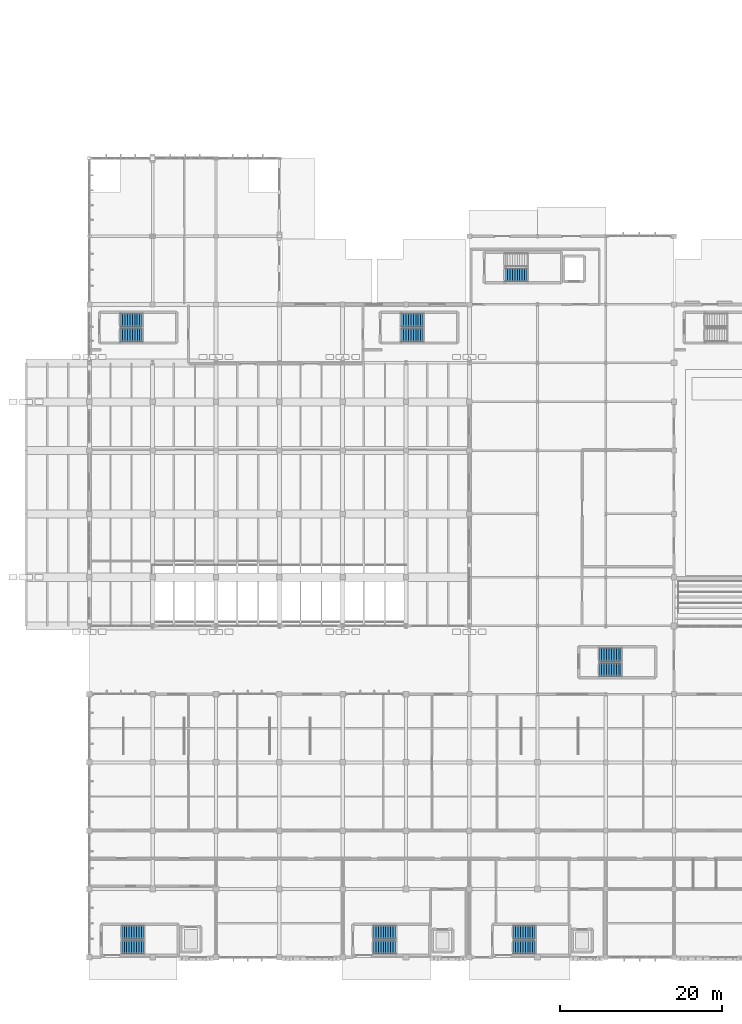
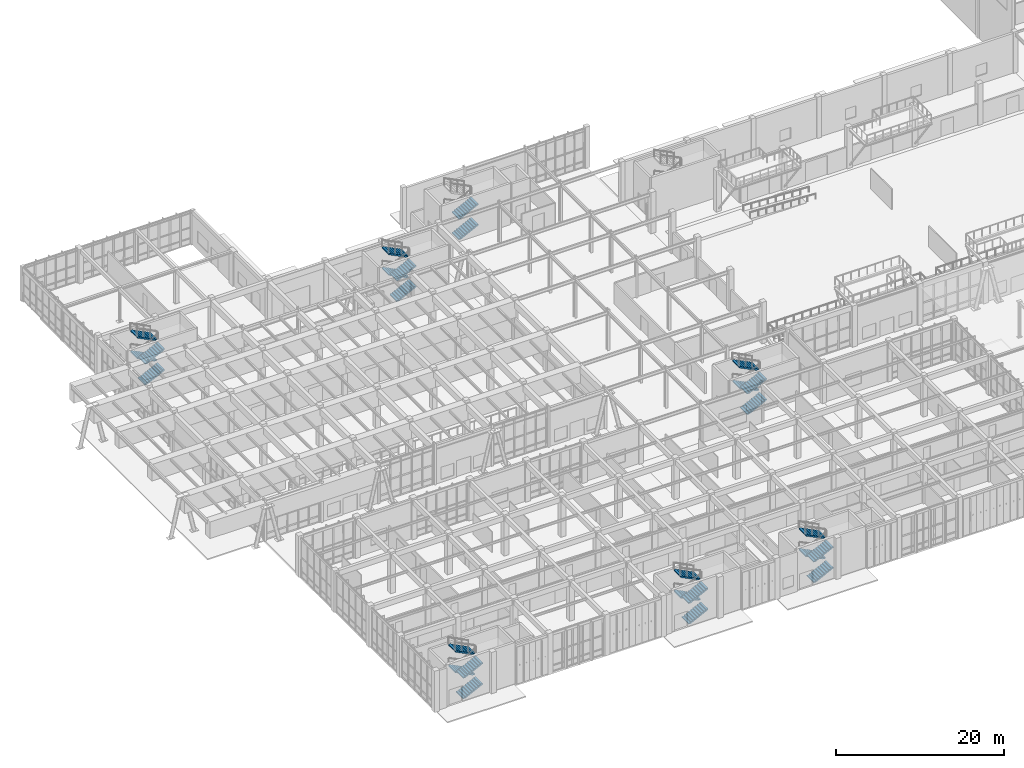
# One storey, part 84 of 110: 26 stair flights, 7 elements without a shape of their own.
"""IFC4 building model written with IfcOpenShell, lengths in metres."""

from ifc_helpers import new_model, si_unit, direction, frame, origin, place, context, subcontext, project, spatial, polyline, outline, extrude, material, type_object, element, aggregate, save


model = new_model("IFC4")

# Units and contexts
model_context = context("Model", 3, precision=1e-05, world=origin(), true_north=direction((0.0, 1.0)))
body_context = subcontext(model_context, "Body", "Model", "MODEL_VIEW")
ifc_project = project(units=[si_unit("LENGTHUNIT", "METRE"), si_unit("AREAUNIT", "SQUARE_METRE"), si_unit("VOLUMEUNIT", "CUBIC_METRE"), si_unit("PLANEANGLEUNIT", "RADIAN"), si_unit("MASSUNIT", "GRAM", prefix="KILO")], contexts=[model_context])

# Site, building, storey
site_placement = place(None, origin())
site = spatial("IfcSite", under=ifc_project, at=site_placement, CompositionType="ELEMENT")
building_placement = place(site_placement, origin())
building = spatial("IfcBuilding", under=site, at=building_placement, Name="Tizgana Railside Sports Hall", CompositionType="ELEMENT")
storey_placement = place(building_placement, origin())
storey = spatial("IfcBuildingStorey", under=building, at=storey_placement, Name="L00", CompositionType="ELEMENT", Elevation=0.0)

# Stair, stair flights
ifc_material = material(Name="Concrete C35/45", Category="concrete")
stair_type_1 = type_object("IfcStairType", Name="Core Protected Stair 1500", PredefinedType="HALF_TURN_STAIR", material=ifc_material)
stair_1_placement = place(storey_placement, origin())
stair_1 = element("IfcStair", 1, at=stair_1_placement, inside=storey, type_object=stair_type_1, Name="L00 Core Stair ST-01", PredefinedType="HALF_TURN_STAIR")
stair_flight_type_1 = type_object("IfcStairFlightType", Name="Core Stair Flight 1500", PredefinedType="STRAIGHT", material=ifc_material)
stair_flight_1_placement = place(storey_placement, frame((11.800048828125, 1.22509765625, 0.0), z_axis=(0.0, 0.0, 1.0), x_axis=(1.0, 0.0, 0.0)))
stair_flight_1 = element("IfcStairFlight", 2, at=stair_flight_1_placement, type_object=stair_flight_type_1, Name="ST-01 flight 1", NumberOfRisers=10, NumberOfTreads=9, PredefinedType="STRAIGHT", RiserHeight=0.15, TreadLength=0.3, context=body_context, shape_type="SweptSolid", body=[
    extrude(outline(polyline([(0.0, 0.0), (0.0, 0.14990234375), (0.300048828125, 0.14990234375), (0.300048828125, 0.300048828125), (0.60009765625, 0.300048828125), (0.60009765625, 0.449951171875), (0.89990234375, 0.449951171875), (0.89990234375, 0.60009765625), (1.199951171875, 0.60009765625), (1.199951171875, 0.75), (1.5, 0.75), (1.5, 0.89990234375), (1.800048828125, 0.89990234375), (1.800048828125, 1.050048828125), (2.10009765625, 1.050048828125), (2.10009765625, 1.199951171875), (2.39990234375, 1.199951171875), (2.39990234375, 1.35009765625), (2.699951171875, 1.35009765625), (2.699951171875, 1.5), (2.699951171875, 1.182373046875), (0.335205078125, 0.0), (0.0, 0.0)])), frame((0.0, 0.824951171875, 0.0), z_axis=(0.0, -1.0, 0.0), x_axis=(1.0, 0.0, 0.0)), (0.0, 0.0, 1.0), 1.64990234375),
])
stair_flight_2_placement = place(storey_placement, frame((14.5, 3.074951171875, 1.5), z_axis=(0.0, 0.0, 1.0), x_axis=(-1.0, 0.0, 0.0)))
stair_flight_2 = element("IfcStairFlight", 3, at=stair_flight_2_placement, type_object=stair_flight_type_1, Name="ST-01 flight 2", NumberOfRisers=10, NumberOfTreads=9, PredefinedType="STRAIGHT", RiserHeight=0.15, TreadLength=0.3, context=body_context, shape_type="SweptSolid", body=[
    extrude(outline(polyline([(0.0, 0.0), (0.0, 0.14990234375), (0.300048828125, 0.14990234375), (0.300048828125, 0.300048828125), (0.60009765625, 0.300048828125), (0.60009765625, 0.449951171875), (0.89990234375, 0.449951171875), (0.89990234375, 0.60009765625), (1.199951171875, 0.60009765625), (1.199951171875, 0.75), (1.5, 0.75), (1.5, 0.89990234375), (1.800048828125, 0.89990234375), (1.800048828125, 1.050048828125), (2.10009765625, 1.050048828125), (2.10009765625, 1.199951171875), (2.39990234375, 1.199951171875), (2.39990234375, 1.35009765625), (2.699951171875, 1.35009765625), (2.699951171875, 1.5), (2.699951171875, 1.182373046875), (0.335205078125, 0.0), (0.0, 0.0)])), frame((0.0, 0.824951171875, 0.0), z_axis=(0.0, -1.0, 0.0), x_axis=(1.0, 0.0, 0.0)), (0.0, 0.0, 1.0), 1.64990234375),
])
stair_flight_3_placement = place(storey_placement, frame((11.800048828125, 1.22509765625, 3.0), z_axis=(0.0, 0.0, 1.0), x_axis=(1.0, 0.0, 0.0)))
stair_flight_3 = element("IfcStairFlight", 4, at=stair_flight_3_placement, type_object=stair_flight_type_1, Name="ST-01 flight 3", NumberOfRisers=10, NumberOfTreads=9, PredefinedType="STRAIGHT", RiserHeight=0.15, TreadLength=0.3, context=body_context, shape_type="SweptSolid", body=[
    extrude(outline(polyline([(0.0, 0.0), (0.0, 0.14990234375), (0.300048828125, 0.14990234375), (0.300048828125, 0.300048828125), (0.60009765625, 0.300048828125), (0.60009765625, 0.449951171875), (0.89990234375, 0.449951171875), (0.89990234375, 0.60009765625), (1.199951171875, 0.60009765625), (1.199951171875, 0.75), (1.5, 0.75), (1.5, 0.89990234375), (1.800048828125, 0.89990234375), (1.800048828125, 1.050048828125), (2.10009765625, 1.050048828125), (2.10009765625, 1.199951171875), (2.39990234375, 1.199951171875), (2.39990234375, 1.35009765625), (2.699951171875, 1.35009765625), (2.699951171875, 1.5), (2.699951171875, 1.182373046875), (0.335205078125, 0.0), (0.0, 0.0)])), frame((0.0, 0.824951171875, 0.0), z_axis=(0.0, -1.0, 0.0), x_axis=(1.0, 0.0, 0.0)), (0.0, 0.0, 1.0), 1.64990234375),
])
stair_flight_4_placement = place(storey_placement, frame((14.5, 3.074951171875, 4.5), z_axis=(0.0, 0.0, 1.0), x_axis=(-1.0, 0.0, 0.0)))
stair_flight_4 = element("IfcStairFlight", 5, at=stair_flight_4_placement, type_object=stair_flight_type_1, Name="ST-01 flight 4", NumberOfRisers=10, NumberOfTreads=9, PredefinedType="STRAIGHT", RiserHeight=0.15, TreadLength=0.3, context=body_context, shape_type="SweptSolid", body=[
    extrude(outline(polyline([(0.0, 0.0), (0.0, 0.14990234375), (0.300048828125, 0.14990234375), (0.300048828125, 0.300048828125), (0.60009765625, 0.300048828125), (0.60009765625, 0.449951171875), (0.89990234375, 0.449951171875), (0.89990234375, 0.60009765625), (1.199951171875, 0.60009765625), (1.199951171875, 0.75), (1.5, 0.75), (1.5, 0.89990234375), (1.800048828125, 0.89990234375), (1.800048828125, 1.050048828125), (2.10009765625, 1.050048828125), (2.10009765625, 1.199951171875), (2.39990234375, 1.199951171875), (2.39990234375, 1.35009765625), (2.699951171875, 1.35009765625), (2.699951171875, 1.5), (2.699951171875, 1.182373046875), (0.335205078125, 0.0), (0.0, 0.0)])), frame((0.0, 0.824951171875, 0.0), z_axis=(0.0, -1.0, 0.0), x_axis=(1.0, 0.0, 0.0)), (0.0, 0.0, 1.0), 1.64990234375),
])
aggregate(stair_1, [stair_flight_1, stair_flight_2, stair_flight_3, stair_flight_4])

stair_type_2 = type_object("IfcStairType", Name="Concourse Feature Stair 1800", PredefinedType="HALF_TURN_STAIR", material=ifc_material)
stair_2_placement = place(storey_placement, origin())
stair_2 = element("IfcStair", 6, at=stair_2_placement, inside=storey, type_object=stair_type_2, Name="L00 Core Stair ST-04", PredefinedType="HALF_TURN_STAIR")
stair_flight_type_2 = type_object("IfcStairFlightType", Name="Feature Stair Flight 1800", PredefinedType="STRAIGHT", material=ifc_material)
stair_flight_5_placement = place(storey_placement, frame((59.0, 84.02490234375, 0.0), z_axis=(0.0, 0.0, 1.0), x_axis=(1.0, 0.0, 0.0)))
stair_flight_5 = element("IfcStairFlight", 7, at=stair_flight_5_placement, type_object=stair_flight_type_2, Name="ST-04 flight 1", NumberOfRisers=10, NumberOfTreads=9, PredefinedType="STRAIGHT", RiserHeight=0.15, TreadLength=0.3, context=body_context, shape_type="SweptSolid", body=[
    extrude(outline(polyline([(0.0, 0.0), (0.0, 0.14990234375), (0.300048828125, 0.14990234375), (0.300048828125, 0.300048828125), (0.60009765625, 0.300048828125), (0.60009765625, 0.449951171875), (0.89990234375, 0.449951171875), (0.89990234375, 0.60009765625), (1.199951171875, 0.60009765625), (1.199951171875, 0.75), (1.5, 0.75), (1.5, 0.89990234375), (1.800048828125, 0.89990234375), (1.800048828125, 1.050048828125), (2.10009765625, 1.050048828125), (2.10009765625, 1.199951171875), (2.39990234375, 1.199951171875), (2.39990234375, 1.35009765625), (2.699951171875, 1.35009765625), (2.699951171875, 1.5), (2.699951171875, 1.182373046875), (0.335205078125, 0.0), (0.0, 0.0)])), frame((0.0, 0.824951171875, 0.0), z_axis=(0.0, -1.0, 0.0), x_axis=(1.0, 0.0, 0.0)), (0.0, 0.0, 1.0), 1.64990234375),
])
stair_flight_6_placement = place(storey_placement, frame((59.0, 84.02490234375, 3.0), z_axis=(0.0, 0.0, 1.0), x_axis=(1.0, 0.0, 0.0)))
stair_flight_6 = element("IfcStairFlight", 8, at=stair_flight_6_placement, type_object=stair_flight_type_2, Name="ST-04 flight 3", NumberOfRisers=10, NumberOfTreads=9, PredefinedType="STRAIGHT", RiserHeight=0.15, TreadLength=0.3, context=body_context, shape_type="SweptSolid", body=[
    extrude(outline(polyline([(0.0, 0.0), (0.0, 0.14990234375), (0.300048828125, 0.14990234375), (0.300048828125, 0.300048828125), (0.60009765625, 0.300048828125), (0.60009765625, 0.449951171875), (0.89990234375, 0.449951171875), (0.89990234375, 0.60009765625), (1.199951171875, 0.60009765625), (1.199951171875, 0.75), (1.5, 0.75), (1.5, 0.89990234375), (1.800048828125, 0.89990234375), (1.800048828125, 1.050048828125), (2.10009765625, 1.050048828125), (2.10009765625, 1.199951171875), (2.39990234375, 1.199951171875), (2.39990234375, 1.35009765625), (2.699951171875, 1.35009765625), (2.699951171875, 1.5), (2.699951171875, 1.182373046875), (0.335205078125, 0.0), (0.0, 0.0)])), frame((0.0, 0.824951171875, 0.0), z_axis=(0.0, -1.0, 0.0), x_axis=(1.0, 0.0, 0.0)), (0.0, 0.0, 1.0), 1.64990234375),
])
aggregate(stair_2, [stair_flight_5, stair_flight_6])

stair_type_3 = type_object("IfcStairType", Name="Spectator Aisle Stair 1400", PredefinedType="HALF_TURN_STAIR", material=ifc_material)
stair_3_placement = place(storey_placement, origin())
stair_3 = element("IfcStair", 9, at=stair_3_placement, inside=storey, type_object=stair_type_3, Name="L00 Core Stair ST-03", PredefinedType="HALF_TURN_STAIR")
stair_flight_type_3 = type_object("IfcStairFlightType", Name="Spectator Stair Flight 1400", PredefinedType="STRAIGHT", material=ifc_material)
stair_flight_7_placement = place(storey_placement, frame((60.0, 1.22509765625, 0.0), z_axis=(0.0, 0.0, 1.0), x_axis=(1.0, 0.0, 0.0)))
stair_flight_7 = element("IfcStairFlight", 10, at=stair_flight_7_placement, type_object=stair_flight_type_3, Name="ST-03 flight 1", NumberOfRisers=10, NumberOfTreads=9, PredefinedType="STRAIGHT", RiserHeight=0.15, TreadLength=0.3, context=body_context, shape_type="SweptSolid", body=[
    extrude(outline(polyline([(0.0, 0.0), (0.0, 0.14990234375), (0.300048828125, 0.14990234375), (0.300048828125, 0.300048828125), (0.60009765625, 0.300048828125), (0.60009765625, 0.449951171875), (0.89990234375, 0.449951171875), (0.89990234375, 0.60009765625), (1.199951171875, 0.60009765625), (1.199951171875, 0.75), (1.5, 0.75), (1.5, 0.89990234375), (1.800048828125, 0.89990234375), (1.800048828125, 1.050048828125), (2.10009765625, 1.050048828125), (2.10009765625, 1.199951171875), (2.39990234375, 1.199951171875), (2.39990234375, 1.35009765625), (2.699951171875, 1.35009765625), (2.699951171875, 1.5), (2.699951171875, 1.182373046875), (0.335205078125, 0.0), (0.0, 0.0)])), frame((0.0, 0.824951171875, 0.0), z_axis=(0.0, -1.0, 0.0), x_axis=(1.0, 0.0, 0.0)), (0.0, 0.0, 1.0), 1.64990234375),
])
stair_flight_8_placement = place(storey_placement, frame((62.699951171875, 3.074951171875, 1.5), z_axis=(0.0, 0.0, 1.0), x_axis=(-1.0, 0.0, 0.0)))
stair_flight_8 = element("IfcStairFlight", 11, at=stair_flight_8_placement, type_object=stair_flight_type_3, Name="ST-03 flight 2", NumberOfRisers=10, NumberOfTreads=9, PredefinedType="STRAIGHT", RiserHeight=0.15, TreadLength=0.3, context=body_context, shape_type="SweptSolid", body=[
    extrude(outline(polyline([(0.0, 0.0), (0.0, 0.14990234375), (0.300048828125, 0.14990234375), (0.300048828125, 0.300048828125), (0.60009765625, 0.300048828125), (0.60009765625, 0.449951171875), (0.89990234375, 0.449951171875), (0.89990234375, 0.60009765625), (1.199951171875, 0.60009765625), (1.199951171875, 0.75), (1.5, 0.75), (1.5, 0.89990234375), (1.800048828125, 0.89990234375), (1.800048828125, 1.050048828125), (2.10009765625, 1.050048828125), (2.10009765625, 1.199951171875), (2.39990234375, 1.199951171875), (2.39990234375, 1.35009765625), (2.699951171875, 1.35009765625), (2.699951171875, 1.5), (2.699951171875, 1.182373046875), (0.335205078125, 0.0), (0.0, 0.0)])), frame((0.0, 0.824951171875, 0.0), z_axis=(0.0, -1.0, 0.0), x_axis=(1.0, 0.0, 0.0)), (0.0, 0.0, 1.0), 1.64990234375),
])
stair_flight_9_placement = place(storey_placement, frame((60.0, 1.22509765625, 3.0), z_axis=(0.0, 0.0, 1.0), x_axis=(1.0, 0.0, 0.0)))
stair_flight_9 = element("IfcStairFlight", 12, at=stair_flight_9_placement, type_object=stair_flight_type_3, Name="ST-03 flight 3", NumberOfRisers=10, NumberOfTreads=9, PredefinedType="STRAIGHT", RiserHeight=0.15, TreadLength=0.3, context=body_context, shape_type="SweptSolid", body=[
    extrude(outline(polyline([(0.0, 0.0), (0.0, 0.14990234375), (0.300048828125, 0.14990234375), (0.300048828125, 0.300048828125), (0.60009765625, 0.300048828125), (0.60009765625, 0.449951171875), (0.89990234375, 0.449951171875), (0.89990234375, 0.60009765625), (1.199951171875, 0.60009765625), (1.199951171875, 0.75), (1.5, 0.75), (1.5, 0.89990234375), (1.800048828125, 0.89990234375), (1.800048828125, 1.050048828125), (2.10009765625, 1.050048828125), (2.10009765625, 1.199951171875), (2.39990234375, 1.199951171875), (2.39990234375, 1.35009765625), (2.699951171875, 1.35009765625), (2.699951171875, 1.5), (2.699951171875, 1.182373046875), (0.335205078125, 0.0), (0.0, 0.0)])), frame((0.0, 0.824951171875, 0.0), z_axis=(0.0, -1.0, 0.0), x_axis=(1.0, 0.0, 0.0)), (0.0, 0.0, 1.0), 1.64990234375),
])
stair_flight_10_placement = place(storey_placement, frame((62.699951171875, 3.074951171875, 4.5), z_axis=(0.0, 0.0, 1.0), x_axis=(-1.0, 0.0, 0.0)))
stair_flight_10 = element("IfcStairFlight", 13, at=stair_flight_10_placement, type_object=stair_flight_type_3, Name="ST-03 flight 4", NumberOfRisers=10, NumberOfTreads=9, PredefinedType="STRAIGHT", RiserHeight=0.15, TreadLength=0.3, context=body_context, shape_type="SweptSolid", body=[
    extrude(outline(polyline([(0.0, 0.0), (0.0, 0.14990234375), (0.300048828125, 0.14990234375), (0.300048828125, 0.300048828125), (0.60009765625, 0.300048828125), (0.60009765625, 0.449951171875), (0.89990234375, 0.449951171875), (0.89990234375, 0.60009765625), (1.199951171875, 0.60009765625), (1.199951171875, 0.75), (1.5, 0.75), (1.5, 0.89990234375), (1.800048828125, 0.89990234375), (1.800048828125, 1.050048828125), (2.10009765625, 1.050048828125), (2.10009765625, 1.199951171875), (2.39990234375, 1.199951171875), (2.39990234375, 1.35009765625), (2.699951171875, 1.35009765625), (2.699951171875, 1.5), (2.699951171875, 1.182373046875), (0.335205078125, 0.0), (0.0, 0.0)])), frame((0.0, 0.824951171875, 0.0), z_axis=(0.0, -1.0, 0.0), x_axis=(1.0, 0.0, 0.0)), (0.0, 0.0, 1.0), 1.64990234375),
])
aggregate(stair_3, [stair_flight_7, stair_flight_8, stair_flight_9, stair_flight_10])

stair_4_placement = place(storey_placement, origin())
stair_4 = element("IfcStair", 14, at=stair_4_placement, inside=storey, type_object=stair_type_3, Name="L00 Core Stair ST-07", PredefinedType="HALF_TURN_STAIR")
stair_flight_11_placement = place(storey_placement, frame((11.60009765625, 76.625, 0.0), z_axis=(0.0, 0.0, 1.0), x_axis=(1.0, 0.0, 0.0)))
stair_flight_11 = element("IfcStairFlight", 15, at=stair_flight_11_placement, type_object=stair_flight_type_3, Name="ST-07 flight 1", NumberOfRisers=10, NumberOfTreads=9, PredefinedType="STRAIGHT", RiserHeight=0.15, TreadLength=0.3, context=body_context, shape_type="SweptSolid", body=[
    extrude(outline(polyline([(0.0, 0.0), (0.0, 0.14990234375), (0.300048828125, 0.14990234375), (0.300048828125, 0.300048828125), (0.60009765625, 0.300048828125), (0.60009765625, 0.449951171875), (0.89990234375, 0.449951171875), (0.89990234375, 0.60009765625), (1.199951171875, 0.60009765625), (1.199951171875, 0.75), (1.5, 0.75), (1.5, 0.89990234375), (1.800048828125, 0.89990234375), (1.800048828125, 1.050048828125), (2.10009765625, 1.050048828125), (2.10009765625, 1.199951171875), (2.39990234375, 1.199951171875), (2.39990234375, 1.35009765625), (2.699951171875, 1.35009765625), (2.699951171875, 1.5), (2.699951171875, 1.182373046875), (0.335205078125, 0.0), (0.0, 0.0)])), frame((0.0, 0.824951171875, 0.0), z_axis=(0.0, -1.0, 0.0), x_axis=(1.0, 0.0, 0.0)), (0.0, 0.0, 1.0), 1.64990234375),
])
stair_flight_12_placement = place(storey_placement, frame((14.300048828125, 78.47509765625, 1.5), z_axis=(0.0, 0.0, 1.0), x_axis=(-1.0, 0.0, 0.0)))
stair_flight_12 = element("IfcStairFlight", 16, at=stair_flight_12_placement, type_object=stair_flight_type_3, Name="ST-07 flight 2", NumberOfRisers=10, NumberOfTreads=9, PredefinedType="STRAIGHT", RiserHeight=0.15, TreadLength=0.3, context=body_context, shape_type="SweptSolid", body=[
    extrude(outline(polyline([(0.0, 0.0), (0.0, 0.14990234375), (0.300048828125, 0.14990234375), (0.300048828125, 0.300048828125), (0.60009765625, 0.300048828125), (0.60009765625, 0.449951171875), (0.89990234375, 0.449951171875), (0.89990234375, 0.60009765625), (1.199951171875, 0.60009765625), (1.199951171875, 0.75), (1.5, 0.75), (1.5, 0.89990234375), (1.800048828125, 0.89990234375), (1.800048828125, 1.050048828125), (2.10009765625, 1.050048828125), (2.10009765625, 1.199951171875), (2.39990234375, 1.199951171875), (2.39990234375, 1.35009765625), (2.699951171875, 1.35009765625), (2.699951171875, 1.5), (2.699951171875, 1.182373046875), (0.335205078125, 0.0), (0.0, 0.0)])), frame((0.0, 0.824951171875, 0.0), z_axis=(0.0, -1.0, 0.0), x_axis=(1.0, 0.0, 0.0)), (0.0, 0.0, 1.0), 1.64990234375),
])
stair_flight_13_placement = place(storey_placement, frame((11.60009765625, 76.625, 3.0), z_axis=(0.0, 0.0, 1.0), x_axis=(1.0, 0.0, 0.0)))
stair_flight_13 = element("IfcStairFlight", 17, at=stair_flight_13_placement, type_object=stair_flight_type_3, Name="ST-07 flight 3", NumberOfRisers=10, NumberOfTreads=9, PredefinedType="STRAIGHT", RiserHeight=0.15, TreadLength=0.3, context=body_context, shape_type="SweptSolid", body=[
    extrude(outline(polyline([(0.0, 0.0), (0.0, 0.14990234375), (0.300048828125, 0.14990234375), (0.300048828125, 0.300048828125), (0.60009765625, 0.300048828125), (0.60009765625, 0.449951171875), (0.89990234375, 0.449951171875), (0.89990234375, 0.60009765625), (1.199951171875, 0.60009765625), (1.199951171875, 0.75), (1.5, 0.75), (1.5, 0.89990234375), (1.800048828125, 0.89990234375), (1.800048828125, 1.050048828125), (2.10009765625, 1.050048828125), (2.10009765625, 1.199951171875), (2.39990234375, 1.199951171875), (2.39990234375, 1.35009765625), (2.699951171875, 1.35009765625), (2.699951171875, 1.5), (2.699951171875, 1.182373046875), (0.335205078125, 0.0), (0.0, 0.0)])), frame((0.0, 0.824951171875, 0.0), z_axis=(0.0, -1.0, 0.0), x_axis=(1.0, 0.0, 0.0)), (0.0, 0.0, 1.0), 1.64990234375),
])
stair_flight_14_placement = place(storey_placement, frame((14.300048828125, 78.47509765625, 4.5), z_axis=(0.0, 0.0, 1.0), x_axis=(-1.0, 0.0, 0.0)))
stair_flight_14 = element("IfcStairFlight", 18, at=stair_flight_14_placement, type_object=stair_flight_type_3, Name="ST-07 flight 4", NumberOfRisers=10, NumberOfTreads=9, PredefinedType="STRAIGHT", RiserHeight=0.15, TreadLength=0.3, context=body_context, shape_type="SweptSolid", body=[
    extrude(outline(polyline([(0.0, 0.0), (0.0, 0.14990234375), (0.300048828125, 0.14990234375), (0.300048828125, 0.300048828125), (0.60009765625, 0.300048828125), (0.60009765625, 0.449951171875), (0.89990234375, 0.449951171875), (0.89990234375, 0.60009765625), (1.199951171875, 0.60009765625), (1.199951171875, 0.75), (1.5, 0.75), (1.5, 0.89990234375), (1.800048828125, 0.89990234375), (1.800048828125, 1.050048828125), (2.10009765625, 1.050048828125), (2.10009765625, 1.199951171875), (2.39990234375, 1.199951171875), (2.39990234375, 1.35009765625), (2.699951171875, 1.35009765625), (2.699951171875, 1.5), (2.699951171875, 1.182373046875), (0.335205078125, 0.0), (0.0, 0.0)])), frame((0.0, 0.824951171875, 0.0), z_axis=(0.0, -1.0, 0.0), x_axis=(1.0, 0.0, 0.0)), (0.0, 0.0, 1.0), 1.64990234375),
])
aggregate(stair_4, [stair_flight_11, stair_flight_12, stair_flight_13, stair_flight_14])

stair_type_4 = type_object("IfcStairType", Name="Tournament Court Stair 1600", PredefinedType="HALF_TURN_STAIR", material=ifc_material)
stair_5_placement = place(storey_placement, origin())
stair_5 = element("IfcStair", 19, at=stair_5_placement, inside=storey, type_object=stair_type_4, Name="L00 Core Stair ST-02", PredefinedType="HALF_TURN_STAIR")
stair_flight_type_4 = type_object("IfcStairFlightType", Name="Tournament Stair Flight 1600", PredefinedType="STRAIGHT", material=ifc_material)
stair_flight_15_placement = place(storey_placement, frame((42.800048828125, 1.22509765625, 0.0), z_axis=(0.0, 0.0, 1.0), x_axis=(1.0, 0.0, 0.0)))
stair_flight_15 = element("IfcStairFlight", 20, at=stair_flight_15_placement, type_object=stair_flight_type_4, Name="ST-02 flight 1", NumberOfRisers=10, NumberOfTreads=9, PredefinedType="STRAIGHT", RiserHeight=0.15, TreadLength=0.3, context=body_context, shape_type="SweptSolid", body=[
    extrude(outline(polyline([(0.0, 0.0), (0.0, 0.14990234375), (0.300048828125, 0.14990234375), (0.300048828125, 0.300048828125), (0.60009765625, 0.300048828125), (0.60009765625, 0.449951171875), (0.89990234375, 0.449951171875), (0.89990234375, 0.60009765625), (1.199951171875, 0.60009765625), (1.199951171875, 0.75), (1.5, 0.75), (1.5, 0.89990234375), (1.800048828125, 0.89990234375), (1.800048828125, 1.050048828125), (2.10009765625, 1.050048828125), (2.10009765625, 1.199951171875), (2.39990234375, 1.199951171875), (2.39990234375, 1.35009765625), (2.699951171875, 1.35009765625), (2.699951171875, 1.5), (2.699951171875, 1.182373046875), (0.335205078125, 0.0), (0.0, 0.0)])), frame((0.0, 0.824951171875, 0.0), z_axis=(0.0, -1.0, 0.0), x_axis=(1.0, 0.0, 0.0)), (0.0, 0.0, 1.0), 1.64990234375),
])
stair_flight_16_placement = place(storey_placement, frame((45.5, 3.074951171875, 1.5), z_axis=(0.0, 0.0, 1.0), x_axis=(-1.0, 0.0, 0.0)))
stair_flight_16 = element("IfcStairFlight", 21, at=stair_flight_16_placement, type_object=stair_flight_type_4, Name="ST-02 flight 2", NumberOfRisers=10, NumberOfTreads=9, PredefinedType="STRAIGHT", RiserHeight=0.15, TreadLength=0.3, context=body_context, shape_type="SweptSolid", body=[
    extrude(outline(polyline([(0.0, 0.0), (0.0, 0.14990234375), (0.300048828125, 0.14990234375), (0.300048828125, 0.300048828125), (0.60009765625, 0.300048828125), (0.60009765625, 0.449951171875), (0.89990234375, 0.449951171875), (0.89990234375, 0.60009765625), (1.199951171875, 0.60009765625), (1.199951171875, 0.75), (1.5, 0.75), (1.5, 0.89990234375), (1.800048828125, 0.89990234375), (1.800048828125, 1.050048828125), (2.10009765625, 1.050048828125), (2.10009765625, 1.199951171875), (2.39990234375, 1.199951171875), (2.39990234375, 1.35009765625), (2.699951171875, 1.35009765625), (2.699951171875, 1.5), (2.699951171875, 1.182373046875), (0.335205078125, 0.0), (0.0, 0.0)])), frame((0.0, 0.824951171875, 0.0), z_axis=(0.0, -1.0, 0.0), x_axis=(1.0, 0.0, 0.0)), (0.0, 0.0, 1.0), 1.64990234375),
])
stair_flight_17_placement = place(storey_placement, frame((42.800048828125, 1.22509765625, 3.0), z_axis=(0.0, 0.0, 1.0), x_axis=(1.0, 0.0, 0.0)))
stair_flight_17 = element("IfcStairFlight", 22, at=stair_flight_17_placement, type_object=stair_flight_type_4, Name="ST-02 flight 3", NumberOfRisers=10, NumberOfTreads=9, PredefinedType="STRAIGHT", RiserHeight=0.15, TreadLength=0.3, context=body_context, shape_type="SweptSolid", body=[
    extrude(outline(polyline([(0.0, 0.0), (0.0, 0.14990234375), (0.300048828125, 0.14990234375), (0.300048828125, 0.300048828125), (0.60009765625, 0.300048828125), (0.60009765625, 0.449951171875), (0.89990234375, 0.449951171875), (0.89990234375, 0.60009765625), (1.199951171875, 0.60009765625), (1.199951171875, 0.75), (1.5, 0.75), (1.5, 0.89990234375), (1.800048828125, 0.89990234375), (1.800048828125, 1.050048828125), (2.10009765625, 1.050048828125), (2.10009765625, 1.199951171875), (2.39990234375, 1.199951171875), (2.39990234375, 1.35009765625), (2.699951171875, 1.35009765625), (2.699951171875, 1.5), (2.699951171875, 1.182373046875), (0.335205078125, 0.0), (0.0, 0.0)])), frame((0.0, 0.824951171875, 0.0), z_axis=(0.0, -1.0, 0.0), x_axis=(1.0, 0.0, 0.0)), (0.0, 0.0, 1.0), 1.64990234375),
])
stair_flight_18_placement = place(storey_placement, frame((45.5, 3.074951171875, 4.5), z_axis=(0.0, 0.0, 1.0), x_axis=(-1.0, 0.0, 0.0)))
stair_flight_18 = element("IfcStairFlight", 23, at=stair_flight_18_placement, type_object=stair_flight_type_4, Name="ST-02 flight 4", NumberOfRisers=10, NumberOfTreads=9, PredefinedType="STRAIGHT", RiserHeight=0.15, TreadLength=0.3, context=body_context, shape_type="SweptSolid", body=[
    extrude(outline(polyline([(0.0, 0.0), (0.0, 0.14990234375), (0.300048828125, 0.14990234375), (0.300048828125, 0.300048828125), (0.60009765625, 0.300048828125), (0.60009765625, 0.449951171875), (0.89990234375, 0.449951171875), (0.89990234375, 0.60009765625), (1.199951171875, 0.60009765625), (1.199951171875, 0.75), (1.5, 0.75), (1.5, 0.89990234375), (1.800048828125, 0.89990234375), (1.800048828125, 1.050048828125), (2.10009765625, 1.050048828125), (2.10009765625, 1.199951171875), (2.39990234375, 1.199951171875), (2.39990234375, 1.35009765625), (2.699951171875, 1.35009765625), (2.699951171875, 1.5), (2.699951171875, 1.182373046875), (0.335205078125, 0.0), (0.0, 0.0)])), frame((0.0, 0.824951171875, 0.0), z_axis=(0.0, -1.0, 0.0), x_axis=(1.0, 0.0, 0.0)), (0.0, 0.0, 1.0), 1.64990234375),
])
aggregate(stair_5, [stair_flight_15, stair_flight_16, stair_flight_17, stair_flight_18])

stair_6_placement = place(storey_placement, origin())
stair_6 = element("IfcStair", 24, at=stair_6_placement, inside=storey, type_object=stair_type_4, Name="L00 Core Stair ST-06", PredefinedType="HALF_TURN_STAIR")
stair_flight_19_placement = place(storey_placement, frame((46.199951171875, 76.625, 0.0), z_axis=(0.0, 0.0, 1.0), x_axis=(1.0, 0.0, 0.0)))
stair_flight_19 = element("IfcStairFlight", 25, at=stair_flight_19_placement, type_object=stair_flight_type_4, Name="ST-06 flight 1", NumberOfRisers=10, NumberOfTreads=9, PredefinedType="STRAIGHT", RiserHeight=0.15, TreadLength=0.3, context=body_context, shape_type="SweptSolid", body=[
    extrude(outline(polyline([(0.0, 0.0), (0.0, 0.14990234375), (0.300048828125, 0.14990234375), (0.300048828125, 0.300048828125), (0.60009765625, 0.300048828125), (0.60009765625, 0.449951171875), (0.89990234375, 0.449951171875), (0.89990234375, 0.60009765625), (1.199951171875, 0.60009765625), (1.199951171875, 0.75), (1.5, 0.75), (1.5, 0.89990234375), (1.800048828125, 0.89990234375), (1.800048828125, 1.050048828125), (2.10009765625, 1.050048828125), (2.10009765625, 1.199951171875), (2.39990234375, 1.199951171875), (2.39990234375, 1.35009765625), (2.699951171875, 1.35009765625), (2.699951171875, 1.5), (2.699951171875, 1.182373046875), (0.335205078125, 0.0), (0.0, 0.0)])), frame((0.0, 0.824951171875, 0.0), z_axis=(0.0, -1.0, 0.0), x_axis=(1.0, 0.0, 0.0)), (0.0, 0.0, 1.0), 1.64990234375),
])
stair_flight_20_placement = place(storey_placement, frame((48.89990234375, 78.47509765625, 1.5), z_axis=(0.0, 0.0, 1.0), x_axis=(-1.0, 0.0, 0.0)))
stair_flight_20 = element("IfcStairFlight", 26, at=stair_flight_20_placement, type_object=stair_flight_type_4, Name="ST-06 flight 2", NumberOfRisers=10, NumberOfTreads=9, PredefinedType="STRAIGHT", RiserHeight=0.15, TreadLength=0.3, context=body_context, shape_type="SweptSolid", body=[
    extrude(outline(polyline([(0.0, 0.0), (0.0, 0.14990234375), (0.300048828125, 0.14990234375), (0.300048828125, 0.300048828125), (0.60009765625, 0.300048828125), (0.60009765625, 0.449951171875), (0.89990234375, 0.449951171875), (0.89990234375, 0.60009765625), (1.199951171875, 0.60009765625), (1.199951171875, 0.75), (1.5, 0.75), (1.5, 0.89990234375), (1.800048828125, 0.89990234375), (1.800048828125, 1.050048828125), (2.10009765625, 1.050048828125), (2.10009765625, 1.199951171875), (2.39990234375, 1.199951171875), (2.39990234375, 1.35009765625), (2.699951171875, 1.35009765625), (2.699951171875, 1.5), (2.699951171875, 1.182373046875), (0.335205078125, 0.0), (0.0, 0.0)])), frame((0.0, 0.824951171875, 0.0), z_axis=(0.0, -1.0, 0.0), x_axis=(1.0, 0.0, 0.0)), (0.0, 0.0, 1.0), 1.64990234375),
])
stair_flight_21_placement = place(storey_placement, frame((46.199951171875, 76.625, 3.0), z_axis=(0.0, 0.0, 1.0), x_axis=(1.0, 0.0, 0.0)))
stair_flight_21 = element("IfcStairFlight", 27, at=stair_flight_21_placement, type_object=stair_flight_type_4, Name="ST-06 flight 3", NumberOfRisers=10, NumberOfTreads=9, PredefinedType="STRAIGHT", RiserHeight=0.15, TreadLength=0.3, context=body_context, shape_type="SweptSolid", body=[
    extrude(outline(polyline([(0.0, 0.0), (0.0, 0.14990234375), (0.300048828125, 0.14990234375), (0.300048828125, 0.300048828125), (0.60009765625, 0.300048828125), (0.60009765625, 0.449951171875), (0.89990234375, 0.449951171875), (0.89990234375, 0.60009765625), (1.199951171875, 0.60009765625), (1.199951171875, 0.75), (1.5, 0.75), (1.5, 0.89990234375), (1.800048828125, 0.89990234375), (1.800048828125, 1.050048828125), (2.10009765625, 1.050048828125), (2.10009765625, 1.199951171875), (2.39990234375, 1.199951171875), (2.39990234375, 1.35009765625), (2.699951171875, 1.35009765625), (2.699951171875, 1.5), (2.699951171875, 1.182373046875), (0.335205078125, 0.0), (0.0, 0.0)])), frame((0.0, 0.824951171875, 0.0), z_axis=(0.0, -1.0, 0.0), x_axis=(1.0, 0.0, 0.0)), (0.0, 0.0, 1.0), 1.64990234375),
])
stair_flight_22_placement = place(storey_placement, frame((48.89990234375, 78.47509765625, 4.5), z_axis=(0.0, 0.0, 1.0), x_axis=(-1.0, 0.0, 0.0)))
stair_flight_22 = element("IfcStairFlight", 28, at=stair_flight_22_placement, type_object=stair_flight_type_4, Name="ST-06 flight 4", NumberOfRisers=10, NumberOfTreads=9, PredefinedType="STRAIGHT", RiserHeight=0.15, TreadLength=0.3, context=body_context, shape_type="SweptSolid", body=[
    extrude(outline(polyline([(0.0, 0.0), (0.0, 0.14990234375), (0.300048828125, 0.14990234375), (0.300048828125, 0.300048828125), (0.60009765625, 0.300048828125), (0.60009765625, 0.449951171875), (0.89990234375, 0.449951171875), (0.89990234375, 0.60009765625), (1.199951171875, 0.60009765625), (1.199951171875, 0.75), (1.5, 0.75), (1.5, 0.89990234375), (1.800048828125, 0.89990234375), (1.800048828125, 1.050048828125), (2.10009765625, 1.050048828125), (2.10009765625, 1.199951171875), (2.39990234375, 1.199951171875), (2.39990234375, 1.35009765625), (2.699951171875, 1.35009765625), (2.699951171875, 1.5), (2.699951171875, 1.182373046875), (0.335205078125, 0.0), (0.0, 0.0)])), frame((0.0, 0.824951171875, 0.0), z_axis=(0.0, -1.0, 0.0), x_axis=(1.0, 0.0, 0.0)), (0.0, 0.0, 1.0), 1.64990234375),
])
aggregate(stair_6, [stair_flight_19, stair_flight_20, stair_flight_21, stair_flight_22])

stair_7_placement = place(storey_placement, origin())
stair_7 = element("IfcStair", 29, at=stair_7_placement, inside=storey, type_object=stair_type_4, Name="L00 Core Stair ST-10", PredefinedType="HALF_TURN_STAIR")
stair_flight_23_placement = place(storey_placement, frame((70.60009765625, 35.425048828125, 0.0), z_axis=(0.0, 0.0, 1.0), x_axis=(1.0, 0.0, 0.0)))
stair_flight_23 = element("IfcStairFlight", 30, at=stair_flight_23_placement, type_object=stair_flight_type_4, Name="ST-10 flight 1", NumberOfRisers=10, NumberOfTreads=9, PredefinedType="STRAIGHT", RiserHeight=0.15, TreadLength=0.3, context=body_context, shape_type="SweptSolid", body=[
    extrude(outline(polyline([(0.0, 0.0), (0.0, 0.14990234375), (0.300048828125, 0.14990234375), (0.300048828125, 0.300048828125), (0.60009765625, 0.300048828125), (0.60009765625, 0.449951171875), (0.89990234375, 0.449951171875), (0.89990234375, 0.60009765625), (1.199951171875, 0.60009765625), (1.199951171875, 0.75), (1.5, 0.75), (1.5, 0.89990234375), (1.800048828125, 0.89990234375), (1.800048828125, 1.050048828125), (2.10009765625, 1.050048828125), (2.10009765625, 1.199951171875), (2.39990234375, 1.199951171875), (2.39990234375, 1.35009765625), (2.699951171875, 1.35009765625), (2.699951171875, 1.5), (2.699951171875, 1.182373046875), (0.335205078125, 0.0), (0.0, 0.0)])), frame((0.0, 0.824951171875, 0.0), z_axis=(0.0, -1.0, 0.0), x_axis=(1.0, 0.0, 0.0)), (0.0, 0.0, 1.0), 1.64990234375),
])
stair_flight_24_placement = place(storey_placement, frame((73.300048828125, 37.27490234375, 1.5), z_axis=(0.0, 0.0, 1.0), x_axis=(-1.0, 0.0, 0.0)))
stair_flight_24 = element("IfcStairFlight", 31, at=stair_flight_24_placement, type_object=stair_flight_type_4, Name="ST-10 flight 2", NumberOfRisers=10, NumberOfTreads=9, PredefinedType="STRAIGHT", RiserHeight=0.15, TreadLength=0.3, context=body_context, shape_type="SweptSolid", body=[
    extrude(outline(polyline([(0.0, 0.0), (0.0, 0.14990234375), (0.300048828125, 0.14990234375), (0.300048828125, 0.300048828125), (0.60009765625, 0.300048828125), (0.60009765625, 0.449951171875), (0.89990234375, 0.449951171875), (0.89990234375, 0.60009765625), (1.199951171875, 0.60009765625), (1.199951171875, 0.75), (1.5, 0.75), (1.5, 0.89990234375), (1.800048828125, 0.89990234375), (1.800048828125, 1.050048828125), (2.10009765625, 1.050048828125), (2.10009765625, 1.199951171875), (2.39990234375, 1.199951171875), (2.39990234375, 1.35009765625), (2.699951171875, 1.35009765625), (2.699951171875, 1.5), (2.699951171875, 1.182373046875), (0.335205078125, 0.0), (0.0, 0.0)])), frame((0.0, 0.824951171875, 0.0), z_axis=(0.0, -1.0, 0.0), x_axis=(1.0, 0.0, 0.0)), (0.0, 0.0, 1.0), 1.64990234375),
])
stair_flight_25_placement = place(storey_placement, frame((70.60009765625, 35.425048828125, 3.0), z_axis=(0.0, 0.0, 1.0), x_axis=(1.0, 0.0, 0.0)))
stair_flight_25 = element("IfcStairFlight", 32, at=stair_flight_25_placement, type_object=stair_flight_type_4, Name="ST-10 flight 3", NumberOfRisers=10, NumberOfTreads=9, PredefinedType="STRAIGHT", RiserHeight=0.15, TreadLength=0.3, context=body_context, shape_type="SweptSolid", body=[
    extrude(outline(polyline([(0.0, 0.0), (0.0, 0.14990234375), (0.300048828125, 0.14990234375), (0.300048828125, 0.300048828125), (0.60009765625, 0.300048828125), (0.60009765625, 0.449951171875), (0.89990234375, 0.449951171875), (0.89990234375, 0.60009765625), (1.199951171875, 0.60009765625), (1.199951171875, 0.75), (1.5, 0.75), (1.5, 0.89990234375), (1.800048828125, 0.89990234375), (1.800048828125, 1.050048828125), (2.10009765625, 1.050048828125), (2.10009765625, 1.199951171875), (2.39990234375, 1.199951171875), (2.39990234375, 1.35009765625), (2.699951171875, 1.35009765625), (2.699951171875, 1.5), (2.699951171875, 1.182373046875), (0.335205078125, 0.0), (0.0, 0.0)])), frame((0.0, 0.824951171875, 0.0), z_axis=(0.0, -1.0, 0.0), x_axis=(1.0, 0.0, 0.0)), (0.0, 0.0, 1.0), 1.64990234375),
])
stair_flight_26_placement = place(storey_placement, frame((73.300048828125, 37.27490234375, 4.5), z_axis=(0.0, 0.0, 1.0), x_axis=(-1.0, 0.0, 0.0)))
stair_flight_26 = element("IfcStairFlight", 33, at=stair_flight_26_placement, type_object=stair_flight_type_4, Name="ST-10 flight 4", NumberOfRisers=10, NumberOfTreads=9, PredefinedType="STRAIGHT", RiserHeight=0.15, TreadLength=0.3, context=body_context, shape_type="SweptSolid", body=[
    extrude(outline(polyline([(0.0, 0.0), (0.0, 0.14990234375), (0.300048828125, 0.14990234375), (0.300048828125, 0.300048828125), (0.60009765625, 0.300048828125), (0.60009765625, 0.449951171875), (0.89990234375, 0.449951171875), (0.89990234375, 0.60009765625), (1.199951171875, 0.60009765625), (1.199951171875, 0.75), (1.5, 0.75), (1.5, 0.89990234375), (1.800048828125, 0.89990234375), (1.800048828125, 1.050048828125), (2.10009765625, 1.050048828125), (2.10009765625, 1.199951171875), (2.39990234375, 1.199951171875), (2.39990234375, 1.35009765625), (2.699951171875, 1.35009765625), (2.699951171875, 1.5), (2.699951171875, 1.182373046875), (0.335205078125, 0.0), (0.0, 0.0)])), frame((0.0, 0.824951171875, 0.0), z_axis=(0.0, -1.0, 0.0), x_axis=(1.0, 0.0, 0.0)), (0.0, 0.0, 1.0), 1.64990234375),
])
aggregate(stair_7, [stair_flight_23, stair_flight_24, stair_flight_25, stair_flight_26])

save(model, "model.ifc")
